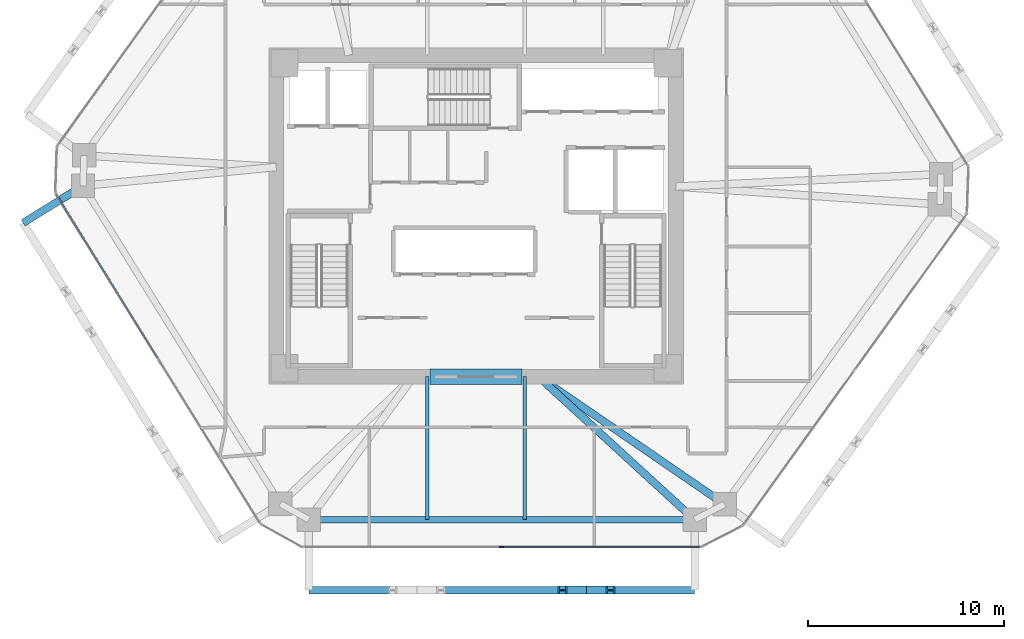
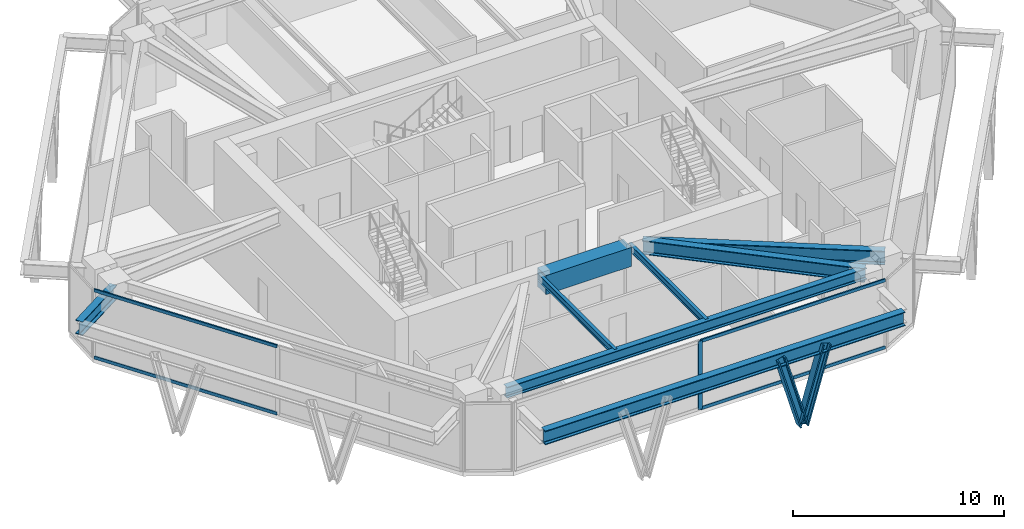
# One storey, part 3 of 14: 8 beams, 7 members, 2 elements without a shape of their own.
"""IFC4 building model written with IfcOpenShell, lengths in metres."""

from ifc_helpers import new_model, si_unit, direction, frame, origin, origin_2d, place, context, subcontext, project, spatial, rectangle, i_section, extrude, source, transform, mapped, material, layer, layer_set, material_profile, profile_set, type_object, type_shapes, element, aggregate, save


model = new_model("IFC4")

# Units and contexts
model_context = context("Model", 3, precision=1e-05, world=origin(), true_north=direction((0.0, 1.0)))
body_context = subcontext(model_context, "Body", "Model", "MODEL_VIEW")
ifc_project = project(units=[si_unit("LENGTHUNIT", "METRE"), si_unit("AREAUNIT", "SQUARE_METRE"), si_unit("VOLUMEUNIT", "CUBIC_METRE"), si_unit("PLANEANGLEUNIT", "RADIAN"), si_unit("MASSUNIT", "GRAM", prefix="KILO")], contexts=[model_context])

# Site, building, storey
site_placement = place(None, origin())
site = spatial("IfcSite", under=ifc_project, at=site_placement, CompositionType="ELEMENT")
building_placement = place(site_placement, origin())
building = spatial("IfcBuilding", under=site, at=building_placement, Name="Durnholm Broadcast Tower", CompositionType="ELEMENT")
storey_placement = place(building_placement, frame((0.0, 0.0, 93.300048828125)))
storey = spatial("IfcBuildingStorey", under=building, at=storey_placement, Name="L24", CompositionType="ELEMENT", Elevation=93.300048828125)

# Beams
ifc_material_1 = material(Name="Steel ASTM A992 Grade 50", Category="steel")
ifc_material_profile_1 = material_profile(ifc_material_1, i_section(OverallWidth=0.385009765625, OverallDepth=0.802978515625, WebThickness=0.023681640625, FlangeThickness=0.0419921875, FilletRadius=0.032958984375, at=origin_2d()), Name="W30X261")
ifc_profile_set_1 = profile_set([ifc_material_profile_1], Name="Steel ASTM A992 Grade 50")
beam_type_1 = type_object("IfcBeamType", Name="BM-EXO-TIE", PredefinedType="USERDEFINED", material=ifc_profile_set_1)
shared_shape_1 = source(origin(), body_context, "Body", "SweptSolid", [
    extrude(i_section(OverallWidth=0.385009765625, OverallDepth=0.802978515625, WebThickness=0.023681640625, FlangeThickness=0.0419921875, FilletRadius=0.032958984375, at=origin_2d()), origin(), (0.0, 0.0, 1.0), 3.4560546875),
])
beam_1_placement = place(storey_placement, frame((-20.22509765625, 1.465576171875, 3.20849609375), z_axis=(-0.849795112316, -0.527113144481, 0.0), x_axis=(0.527113144481, -0.849795112316, 0.0)))
element("IfcBeam", 1, at=beam_1_placement, inside=storey, type_object=beam_type_1, Name="L24 exoskeleton stand-off tie bracket F6.1", ObjectType="GIRDER", PredefinedType="USERDEFINED", context=body_context, shape_type="MappedRepresentation", body=[
    mapped(shared_shape_1, transform((0.0, 0.0, 0.0), x_axis=(1.0, 0.0, 0.0), y_axis=(0.0, 1.0, 0.0), z_axis=(0.0, 0.0, 1.0), scale=1.0)),
])
ifc_material_2 = material(Name="Concrete C70/85", Category="concrete")
ifc_material_profile_2 = material_profile(ifc_material_2, rectangle(XDim=0.800048828125, YDim=1.10009765625, at=origin_2d()), Name="RC800X1100")
ifc_profile_set_2 = profile_set([ifc_material_profile_2], Name="Concrete C70/85")
beam_type_2 = type_object("IfcBeamType", Name="BM-CB-RC1100", PredefinedType="LINTEL", material=ifc_profile_set_2)
shared_shape_2 = source(origin(), body_context, "Body", "SweptSolid", [
    extrude(rectangle(XDim=0.800048828125, YDim=1.10009765625, at=origin_2d()), origin(), (0.0, 0.0, 1.0), 4.7001953125),
])
type_shapes(beam_type_2, [shared_shape_2])
beam_2_placement = place(storey_placement, frame((-2.35009765625, -8.22509765625, 3.405029296875), z_axis=(1.0, 0.0, 0.0), x_axis=(0.0, 1.0, 0.0)))
element("IfcBeam", 2, at=beam_2_placement, inside=storey, type_object=beam_type_2, Name="L24 south core coupling lintel beam CB-S", PredefinedType="LINTEL", context=body_context, shape_type="MappedRepresentation", body=[
    mapped(shared_shape_2, transform((0.0, 0.0, 0.0), x_axis=(1.0, 0.0, 0.0), y_axis=(0.0, 1.0, 0.0), z_axis=(0.0, 0.0, 1.0), scale=1.0)),
])
ifc_material_profile_3 = material_profile(ifc_material_1, i_section(OverallWidth=0.3291015625, OverallDepth=0.635009765625, WebThickness=0.017822265625, FlangeThickness=0.031005859375, FilletRadius=0.02783203125, at=origin_2d()), Name="W24X162")
ifc_profile_set_3 = profile_set([ifc_material_profile_3], Name="Steel ASTM A992 Grade 50")
beam_type_3 = type_object("IfcBeamType", Name="STL-SP-W24X162", PredefinedType="SPANDREL", material=ifc_profile_set_3)
shared_shape_3 = source(origin(), body_context, "Body", "SweptSolid", [
    extrude(i_section(OverallWidth=0.3291015625, OverallDepth=0.635009765625, WebThickness=0.017822265625, FlangeThickness=0.031005859375, FilletRadius=0.02783203125, at=origin_2d()), origin(), (0.0, 0.0, 1.0), 19.72802734375),
])
type_shapes(beam_type_3, [shared_shape_3])
beam_3_placement = place(storey_placement, frame((11.176025390625, -15.537109375, 3.62744140625), z_axis=(-1.0, 0.0, 0.0), x_axis=(0.0, -1.0, 0.0)))
element("IfcBeam", 3, at=beam_3_placement, inside=storey, type_object=beam_type_3, Name="L24 perimeter spandrel girder 11", PredefinedType="SPANDREL", context=body_context, shape_type="MappedRepresentation", body=[
    mapped(shared_shape_3, transform((0.0, 0.0, 0.0), x_axis=(1.0, 0.0, 0.0), y_axis=(0.0, 1.0, 0.0), z_axis=(0.0, 0.0, 1.0), scale=1.0)),
])
ifc_material_profile_4 = material_profile(ifc_material_1, i_section(OverallWidth=0.385009765625, OverallDepth=0.802978515625, WebThickness=0.023681640625, FlangeThickness=0.0419921875, FilletRadius=0.032958984375, at=origin_2d()), Name="W30X261")
ifc_profile_set_4 = profile_set([ifc_material_profile_4], Name="Steel ASTM A992 Grade 50")
beam_type_4 = type_object("IfcBeamType", Name="STL-GR-W30X261", PredefinedType="USERDEFINED", material=ifc_profile_set_4)
shared_shape_4 = source(origin(), body_context, "Body", "SweptSolid", [
    extrude(i_section(OverallWidth=0.385009765625, OverallDepth=0.802978515625, WebThickness=0.023681640625, FlangeThickness=0.0419921875, FilletRadius=0.032958984375, at=origin_2d()), origin(), (0.0, 0.0, 1.0), 11.533447265625),
])
beam_4_placement = place(storey_placement, frame((3.199951171875, -8.22509765625, 3.54345703125), z_axis=(0.824567182461, -0.565764051181, 0.0), x_axis=(0.565764051181, 0.824567182461, 0.0)))
element("IfcBeam", 4, at=beam_4_placement, inside=storey, type_object=beam_type_4, Name="L24 radial primary floor girder 10", ObjectType="GIRDER", PredefinedType="USERDEFINED", context=body_context, shape_type="MappedRepresentation", body=[
    mapped(shared_shape_4, transform((0.0, 0.0, 0.0), x_axis=(1.0, 0.0, 0.0), y_axis=(0.0, 1.0, 0.0), z_axis=(0.0, 0.0, 1.0), scale=1.0)),
])
shared_shape_5 = source(origin(), body_context, "Body", "SweptSolid", [
    extrude(i_section(OverallWidth=0.385009765625, OverallDepth=0.802978515625, WebThickness=0.023681640625, FlangeThickness=0.0419921875, FilletRadius=0.032958984375, at=origin_2d()), origin(), (0.0, 0.0, 1.0), 10.820556640625),
])
type_shapes(beam_type_4, [shared_shape_4, shared_shape_5])
beam_5_placement = place(storey_placement, frame((3.199951171875, -8.22509765625, 3.54345703125), z_axis=(0.737126042516, -0.675755279258, 0.0), x_axis=(0.675755279258, 0.737126042516, 0.0)))
element("IfcBeam", 5, at=beam_5_placement, inside=storey, type_object=beam_type_4, Name="L24 radial primary floor girder 11", ObjectType="GIRDER", PredefinedType="USERDEFINED", context=body_context, shape_type="MappedRepresentation", body=[
    mapped(shared_shape_5, transform((0.0, 0.0, 0.0), x_axis=(1.0, 0.0, 0.0), y_axis=(0.0, 1.0, 0.0), z_axis=(0.0, 0.0, 1.0), scale=1.0)),
])
ifc_material_profile_5 = material_profile(ifc_material_1, i_section(OverallWidth=0.177734375, OverallDepth=0.40673828125, WebThickness=0.0078125, FlangeThickness=0.0126953125, FilletRadius=0.01904296875, at=origin_2d()), Name="W16X40")
ifc_profile_set_5 = profile_set([ifc_material_profile_5], Name="Steel ASTM A992 Grade 50")
beam_type_5 = type_object("IfcBeamType", Name="STL-BJ-W16X40", PredefinedType="JOIST", material=ifc_profile_set_5)
shared_shape_6 = source(origin(), body_context, "Body", "SweptSolid", [
    extrude(i_section(OverallWidth=0.177734375, OverallDepth=0.40673828125, WebThickness=0.0078125, FlangeThickness=0.0126953125, FilletRadius=0.01904296875, at=origin_2d()), origin(), (0.0, 0.0, 1.0), 7.31201171875),
])
type_shapes(beam_type_5, [shared_shape_6])
for number, where, z_axis, x_axis, name in (
    (6, (-2.5, -15.537109375, 3.74169921875), (0.0, 1.0, 0.0), (-1.0, 0.0, 0.0), "L24 secondary floor joist 5.1"),
    (7, (2.5, -15.537109375, 3.74169921875), (0.0, 1.0, 0.0), (-1.0, 0.0, 0.0), "L24 secondary floor joist 6.1"),
):
    element("IfcBeam", number, at=place(storey_placement, frame(where, z_axis=z_axis, x_axis=x_axis)), inside=storey, type_object=beam_type_5, Name=name, PredefinedType="JOIST", context=body_context, shape_type="MappedRepresentation", body=[
        mapped(shared_shape_6, transform((0.0, 0.0, 0.0), x_axis=(1.0, 0.0, 0.0), y_axis=(0.0, 1.0, 0.0), z_axis=(0.0, 0.0, 1.0), scale=1.0)),
    ])
shared_shape_7 = source(origin(), body_context, "Body", "SweptSolid", [
    extrude(i_section(OverallWidth=0.385009765625, OverallDepth=0.802978515625, WebThickness=0.023681640625, FlangeThickness=0.0419921875, FilletRadius=0.032958984375, at=origin_2d()), origin(), (0.0, 0.0, 1.0), 19.72802734375),
])
type_shapes(beam_type_1, [shared_shape_1, shared_shape_7])
beam_6_placement = place(storey_placement, frame((-8.552001953125, -19.136962890625, 3.20849609375), z_axis=(1.0, 0.0, 0.0), x_axis=(0.0, 1.0, 0.0)))
element("IfcBeam", 8, at=beam_6_placement, inside=storey, type_object=beam_type_1, Name="L24 exoskeleton collector spandrel F1", PredefinedType="SPANDREL", context=body_context, shape_type="MappedRepresentation", body=[
    mapped(shared_shape_7, transform((0.0, 0.0, 0.0), x_axis=(1.0, 0.0, 0.0), y_axis=(0.0, 1.0, 0.0), z_axis=(0.0, 0.0, 1.0), scale=1.0)),
])

# Members
ifc_material_3 = material(Name="Steel ASTM A913 Grade 65", Category="steel")
ifc_material_profile_6 = material_profile(ifc_material_3, i_section(OverallWidth=0.424072265625, OverallDepth=0.47412109375, WebThickness=0.047607421875, FlangeThickness=0.0771484375, FilletRadius=0.030517578125, at=origin_2d()), Name="W14X426")
ifc_profile_set_6 = profile_set([ifc_material_profile_6], Name="Steel ASTM A913 Grade 65")
member_type_1 = type_object("IfcMemberType", Name="STL-DG-W14X426", PredefinedType="BRACE", material=ifc_profile_set_6)
shared_shape_8 = source(origin(), body_context, "Body", "SweptSolid", [
    extrude(i_section(OverallWidth=0.424072265625, OverallDepth=0.47412109375, WebThickness=0.047607421875, FlangeThickness=0.0771484375, FilletRadius=0.030517578125, at=origin_2d()), origin(), (0.0, 0.0, 1.0), 4.43505859375),
])
type_shapes(member_type_1, [shared_shape_8])
for number, where, z_axis, x_axis, name in (
    (9, (5.65234375, -19.136962890625, -1.051513671875), (-0.278209110263, 0.0, 0.960520531257), (0.0, -1.0, 0.0), "L24 stand-off diagrid brace F1.D2.1"),
    (10, (5.65234375, -19.136962890625, -1.051513671875), (0.278158322464, 0.0, 0.960535240189), (0.0, 1.0, 0.0), "L24 stand-off diagrid brace F1.D2.2"),
):
    element("IfcMember", number, at=place(storey_placement, frame(where, z_axis=z_axis, x_axis=x_axis)), inside=storey, type_object=member_type_1, Name=name, PredefinedType="BRACE", context=body_context, shape_type="MappedRepresentation", body=[
        mapped(shared_shape_8, transform((0.0, 0.0, 0.0), x_axis=(1.0, 0.0, 0.0), y_axis=(0.0, 1.0, 0.0), z_axis=(0.0, 0.0, 1.0), scale=1.0)),
    ])

# Curtain wall, member
ifc_material_4 = material(Name="Aluminium and Solar Control IGU", Category="aluminium")
ifc_layer = layer(ifc_material_4, 0.219970703125)
ifc_layer_set = layer_set([ifc_layer], Name="Aluminium and Solar Control IGU")
curtain_wall_type = type_object("IfcCurtainWallType", Name="CW-SYS-6", PredefinedType="NOTDEFINED", material=ifc_layer_set)
curtain_wall_1_placement = place(storey_placement, origin())
curtain_wall_1 = element("IfcCurtainWall", 11, at=curtain_wall_1_placement, inside=storey, type_object=curtain_wall_type, Name="L24 curtain wall CW-AMENITY CW-L24-F10", PredefinedType="NOTDEFINED")
ifc_material_5 = material(Name="Aluminium 6063-T6", Category="aluminium")
ifc_material_profile_7 = material_profile(ifc_material_5, rectangle(XDim=0.074951171875, YDim=0.219970703125, at=origin_2d()), Name="CWM75X220")
ifc_profile_set_7 = profile_set([ifc_material_profile_7], Name="Aluminium 6063-T6")
member_type_2 = type_object("IfcMemberType", Name="CW-SYS-6-MUL", PredefinedType="MULLION", material=ifc_profile_set_7)
shared_shape_9 = source(origin(), body_context, "Body", "SweptSolid", [
    extrude(rectangle(XDim=0.074951171875, YDim=0.219970703125, at=origin_2d()), origin(), (0.0, 0.0, 1.0), 3.9599609375),
])
type_shapes(member_type_2, [shared_shape_9])
member_1_placement = place(storey_placement, frame((1.299560546875, -16.93701171875, 0.0), z_axis=(0.0, 0.0, 1.0), x_axis=(0.0, -1.0, 0.0)))
member_1 = element("IfcMember", 12, at=member_1_placement, type_object=member_type_2, Name="CW-AMENITY mullion 2", PredefinedType="MULLION", context=body_context, shape_type="MappedRepresentation", body=[
    mapped(shared_shape_9, transform((0.0, 0.0, 0.0), x_axis=(1.0, 0.0, 0.0), y_axis=(0.0, 1.0, 0.0), z_axis=(0.0, 0.0, 1.0), scale=1.0)),
])

# Curtain wall, members
curtain_wall_2_placement = place(storey_placement, origin())
curtain_wall_2 = element("IfcCurtainWall", 13, at=curtain_wall_2_placement, inside=storey, type_object=curtain_wall_type, Name="L24 curtain wall CW-AMENITY CW-L24-F12", PredefinedType="NOTDEFINED")
ifc_material_profile_8 = material_profile(ifc_material_5, rectangle(XDim=0.074951171875, YDim=0.179931640625, at=origin_2d()), Name="CWT75X180")
ifc_profile_set_8 = profile_set([ifc_material_profile_8], Name="Aluminium 6063-T6")
member_type_3 = type_object("IfcMemberType", Name="CW-SYS-6-TRN", PredefinedType="USERDEFINED", material=ifc_profile_set_8)
shared_shape_10 = source(origin(), body_context, "Body", "SweptSolid", [
    extrude(rectangle(XDim=0.074951171875, YDim=0.179931640625, at=origin_2d()), origin(), (0.0, 0.0, 1.0), 9.851318359375),
])
member_2_placement = place(storey_placement, frame((-16.2841796875, -7.27099609375, 0.037353515625), z_axis=(-0.527104352206, 0.849800565948, 0.0), x_axis=(-0.849800565948, -0.527104352206, 0.0)))
member_2 = element("IfcMember", 14, at=member_2_placement, type_object=member_type_3, Name="CW-AMENITY transom 2.1", ObjectType="TRANSOM", PredefinedType="USERDEFINED", context=body_context, shape_type="MappedRepresentation", body=[
    mapped(shared_shape_10, transform((0.0, 0.0, 0.0), x_axis=(1.0, 0.0, 0.0), y_axis=(0.0, 1.0, 0.0), z_axis=(0.0, 0.0, 1.0), scale=1.0)),
])
member_3_placement = place(storey_placement, frame((-16.2841796875, -7.27099609375, 3.92236328125), z_axis=(-0.527104352206, 0.849800565948, 0.0), x_axis=(-0.849800565948, -0.527104352206, 0.0)))
member_3 = element("IfcMember", 15, at=member_3_placement, type_object=member_type_3, Name="CW-AMENITY transom 2.2", ObjectType="TRANSOM", PredefinedType="USERDEFINED", context=body_context, shape_type="MappedRepresentation", body=[
    mapped(shared_shape_10, transform((0.0, 0.0, 0.0), x_axis=(1.0, 0.0, 0.0), y_axis=(0.0, 1.0, 0.0), z_axis=(0.0, 0.0, 1.0), scale=1.0)),
])
aggregate(curtain_wall_2, [member_2, member_3])

# Member
shared_shape_11 = source(origin(), body_context, "Body", "SweptSolid", [
    extrude(rectangle(XDim=0.074951171875, YDim=0.179931640625, at=origin_2d()), origin(), (0.0, 0.0, 1.0), 10.102294921875),
])
type_shapes(member_type_3, [shared_shape_10, shared_shape_11])
member_4_placement = place(storey_placement, frame((11.439208984375, -16.93701171875, 0.037353515625), z_axis=(-1.0, 0.0, 0.0), x_axis=(0.0, -1.0, 0.0)))
member_4 = element("IfcMember", 16, at=member_4_placement, type_object=member_type_3, Name="CW-AMENITY transom 1.1", ObjectType="TRANSOM", PredefinedType="USERDEFINED", context=body_context, shape_type="MappedRepresentation", body=[
    mapped(shared_shape_11, transform((0.0, 0.0, 0.0), x_axis=(1.0, 0.0, 0.0), y_axis=(0.0, 1.0, 0.0), z_axis=(0.0, 0.0, 1.0), scale=1.0)),
])

member_5_placement = place(storey_placement, frame((11.439208984375, -16.93701171875, 3.92236328125), z_axis=(-1.0, 0.0, 0.0), x_axis=(0.0, -1.0, 0.0)))
member_5 = element("IfcMember", 17, at=member_5_placement, type_object=member_type_3, Name="CW-AMENITY transom 1.2", ObjectType="TRANSOM", PredefinedType="USERDEFINED", context=body_context, shape_type="MappedRepresentation", body=[
    mapped(shared_shape_11, transform((0.0, 0.0, 0.0), x_axis=(1.0, 0.0, 0.0), y_axis=(0.0, 1.0, 0.0), z_axis=(0.0, 0.0, 1.0), scale=1.0)),
])

aggregate(curtain_wall_1, [member_1, member_4, member_5])

save(model, "model.ifc")
